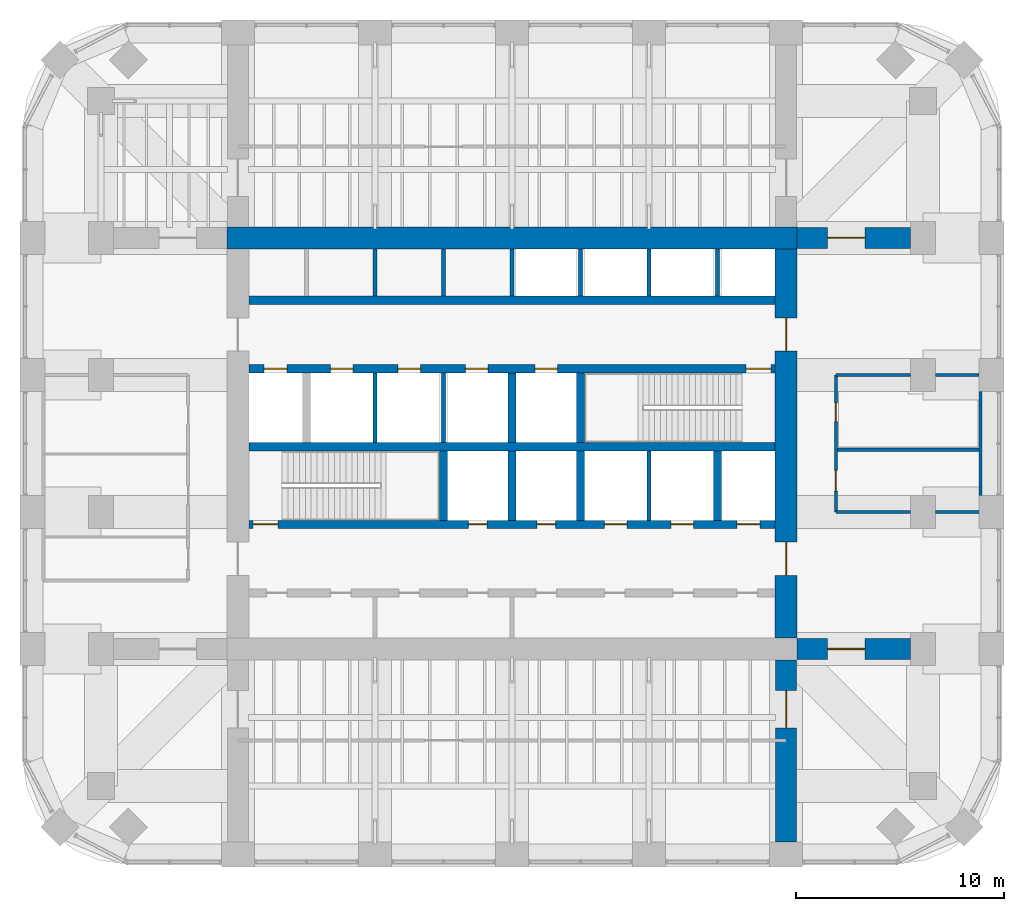
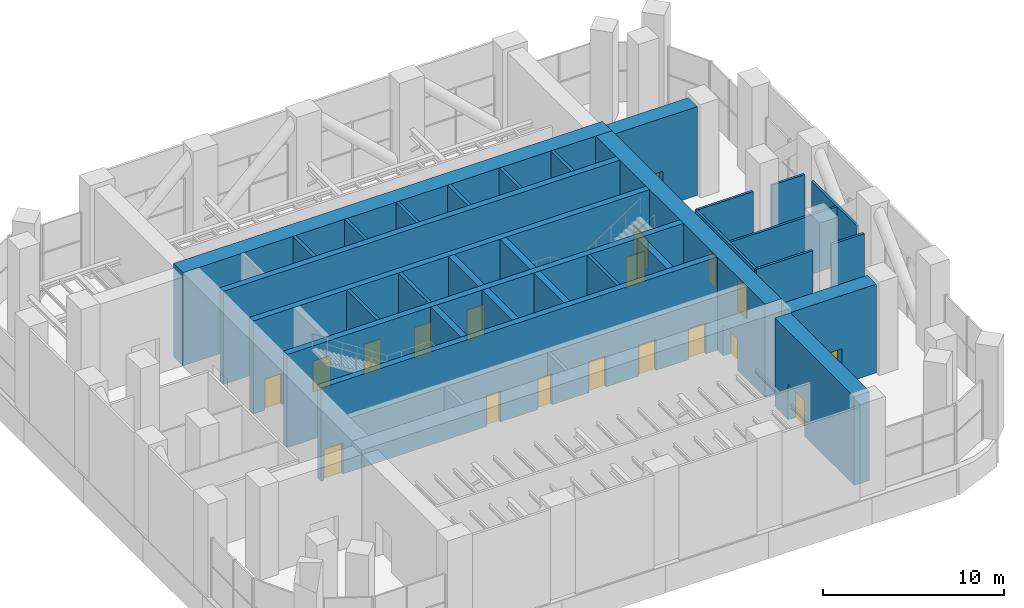
# One storey, part 12 of 15: 31 walls, 19 doors, 19 openings.
"""IFC4 building model written with IfcOpenShell, lengths in metres."""

from ifc_helpers import new_model, si_unit, direction, frame, frame_2d, origin, place, context, subcontext, project, spatial, rectangle, extrude, material, layer, layer_set, type_object, element, fill, save


model = new_model("IFC4")

# Units and contexts
model_context = context("Model", 3, precision=1e-05, world=origin(), true_north=direction((0.0, 1.0)))
body_context = subcontext(model_context, "Body", "Model", "MODEL_VIEW")
ifc_project = project(units=[si_unit("LENGTHUNIT", "METRE"), si_unit("AREAUNIT", "SQUARE_METRE"), si_unit("VOLUMEUNIT", "CUBIC_METRE"), si_unit("PLANEANGLEUNIT", "RADIAN"), si_unit("MASSUNIT", "GRAM", prefix="KILO")], contexts=[model_context])

# Site, building, storey
site_placement = place(None, origin())
site = spatial("IfcSite", under=ifc_project, at=site_placement, CompositionType="ELEMENT")
building_placement = place(site_placement, origin())
building = spatial("IfcBuilding", under=site, at=building_placement, Name="Cobogo Forest Laboratory Tower", CompositionType="ELEMENT")
storey_placement = place(building_placement, frame((0.0, 0.0, 222.89990234375)))
storey = spatial("IfcBuildingStorey", under=building, at=storey_placement, Name="L51", CompositionType="ELEMENT", Elevation=222.89990234375)

# Wall, openings, doors
ifc_material_1 = material(Name="Concrete HA-50 (C50/60)", Category="concrete")
ifc_layer_1 = layer(ifc_material_1, 0.39990234375)
ifc_layer_set_1 = layer_set([ifc_layer_1], Name="CI400 core inner wall 400")
wall_type_1 = type_object("IfcWallType", Name="CI400 core inner wall 400", PredefinedType="SHEAR", material=ifc_layer_set_1)
wall_1_placement = place(storey_placement, frame((13.72509765625, 19.199951171875, 0.0), z_axis=(0.0, 0.0, 1.0), x_axis=(1.0, 0.0, 0.0)))
wall_1 = element("IfcWall", 1, at=wall_1_placement, inside=storey, type_object=wall_type_1, Name="Core wall CI-19.2 L51", PredefinedType="SHEAR", context=body_context, shape_type="SweptSolid", body=[
    extrude(rectangle(XDim=25.349853515625, YDim=0.39990234375, at=frame_2d((12.6748046875, 0.0))), origin(), (0.0, 0.0, 1.0), 6.300048828125),
])
opening_1_placement = place(wall_1_placement, frame((10.574951171875, 0.0, 0.0)))
opening_1 = element("IfcOpeningElement", 2, at=opening_1_placement, cuts=wall_1, Name="Opening L51-D18", PredefinedType="OPENING", context=body_context, shape_type="SweptSolid", body=[
    extrude(rectangle(XDim=0.89990234375, YDim=2.10009765625, at=frame_2d((0.449951171875, 1.050048828125))), frame((0.0, 0.2099609375, 0.0), z_axis=(0.0, -1.0, 0.0), x_axis=(1.0, 0.0, 0.0)), (0.0, 0.0, 1.0), 0.419921875),
])
opening_2_placement = place(wall_1_placement, frame((13.875, 0.0, 0.0)))
opening_2 = element("IfcOpeningElement", 3, at=opening_2_placement, cuts=wall_1, Name="Opening L51-D19", PredefinedType="OPENING", context=body_context, shape_type="SweptSolid", body=[
    extrude(rectangle(XDim=0.89990234375, YDim=2.10009765625, at=frame_2d((0.449951171875, 1.050048828125))), frame((0.0, 0.2099609375, 0.0), z_axis=(0.0, -1.0, 0.0), x_axis=(1.0, 0.0, 0.0)), (0.0, 0.0, 1.0), 0.419921875),
])
opening_3_placement = place(wall_1_placement, frame((0.199951171875, 0.0, 0.0)))
opening_3 = element("IfcOpeningElement", 4, at=opening_3_placement, cuts=wall_1, Name="Opening L51-D17", PredefinedType="OPENING", context=body_context, shape_type="SweptSolid", body=[
    extrude(rectangle(XDim=1.199951171875, YDim=2.10009765625, at=frame_2d((0.60009765625, 1.050048828125))), frame((0.0, 0.2099609375, 0.0), z_axis=(0.0, -1.0, 0.0), x_axis=(1.0, 0.0, 0.0)), (0.0, 0.0, 1.0), 0.419921875),
])
opening_4_placement = place(wall_1_placement, frame((23.512451171875, 0.0, 0.0)))
opening_4 = element("IfcOpeningElement", 5, at=opening_4_placement, cuts=wall_1, Name="Opening L51-LD-FL2", PredefinedType="OPENING", context=body_context, shape_type="SweptSolid", body=[
    extrude(rectangle(XDim=1.10009765625, YDim=2.10009765625, at=frame_2d((0.550048828125, 1.050048828125))), frame((0.0, 0.2099609375, 0.0), z_axis=(0.0, -1.0, 0.0), x_axis=(1.0, 0.0, 0.0)), (0.0, 0.0, 1.0), 0.419921875),
])
opening_5_placement = place(wall_1_placement, frame((17.125, 0.0, 0.0)))
opening_5 = element("IfcOpeningElement", 6, at=opening_5_placement, cuts=wall_1, Name="Opening L51-LD-LS1", PredefinedType="OPENING", context=body_context, shape_type="SweptSolid", body=[
    extrude(rectangle(XDim=1.10009765625, YDim=2.10009765625, at=frame_2d((0.550048828125, 1.050048828125))), frame((0.0, 0.2099609375, 0.0), z_axis=(0.0, -1.0, 0.0), x_axis=(1.0, 0.0, 0.0)), (0.0, 0.0, 1.0), 0.419921875),
])
opening_6_placement = place(wall_1_placement, frame((20.324951171875, 0.0, 0.0)))
opening_6 = element("IfcOpeningElement", 7, at=opening_6_placement, cuts=wall_1, Name="Opening L51-LD-LS2", PredefinedType="OPENING", context=body_context, shape_type="SweptSolid", body=[
    extrude(rectangle(XDim=1.10009765625, YDim=2.10009765625, at=frame_2d((0.550048828125, 1.050048828125))), frame((0.0, 0.2099609375, 0.0), z_axis=(0.0, -1.0, 0.0), x_axis=(1.0, 0.0, 0.0)), (0.0, 0.0, 1.0), 0.419921875),
])
ifc_material_2 = material(Name="Steel fire door", Category="steel")
door_type_1 = type_object("IfcDoorType", Name="DS1 protected stair door 1200 EI2 60", OperationType="SINGLE_SWING_LEFT", PredefinedType="DOOR", material=ifc_material_2)
door_1_placement = place(opening_3_placement, origin())
door_1 = element("IfcDoor", 8, at=door_1_placement, inside=storey, type_object=door_type_1, Name="Door L51-ST1", OperationType="SINGLE_SWING_LEFT", OverallHeight=2.10009765625, OverallWidth=1.199951171875, PredefinedType="DOOR", context=body_context, shape_type="SweptSolid", body=[
    extrude(rectangle(XDim=1.199951171875, YDim=2.10009765625, at=frame_2d((0.60009765625, 1.050048828125))), frame((0.0, 0.02490234375, 0.0), z_axis=(0.0, -1.0, 0.0), x_axis=(1.0, 0.0, 0.0)), (0.0, 0.0, 1.0), 0.050048828125),
])
fill(opening_3, door_1)
door_type_2 = type_object("IfcDoorType", Name="FD4 riser access door 900 EI2 60", OperationType="SINGLE_SWING_LEFT", PredefinedType="DOOR", material=ifc_material_2)
door_2_placement = place(opening_1_placement, origin())
door_2 = element("IfcDoor", 9, at=door_2_placement, inside=storey, type_object=door_type_2, Name="Door L51-R1", OperationType="SINGLE_SWING_LEFT", OverallHeight=2.10009765625, OverallWidth=0.89990234375, PredefinedType="DOOR", context=body_context, shape_type="SweptSolid", body=[
    extrude(rectangle(XDim=0.89990234375, YDim=2.10009765625, at=frame_2d((0.449951171875, 1.050048828125))), frame((0.0, 0.02490234375, 0.0), z_axis=(0.0, -1.0, 0.0), x_axis=(1.0, 0.0, 0.0)), (0.0, 0.0, 1.0), 0.050048828125),
])
fill(opening_1, door_2)
door_3_placement = place(opening_2_placement, origin())
door_3 = element("IfcDoor", 10, at=door_3_placement, inside=storey, type_object=door_type_2, Name="Door L51-R2", OperationType="SINGLE_SWING_RIGHT", OverallHeight=2.10009765625, OverallWidth=0.89990234375, PredefinedType="DOOR", context=body_context, shape_type="SweptSolid", body=[
    extrude(rectangle(XDim=0.89990234375, YDim=2.10009765625, at=frame_2d((0.449951171875, 1.050048828125))), frame((0.0, 0.02490234375, 0.0), z_axis=(0.0, -1.0, 0.0), x_axis=(1.0, 0.0, 0.0)), (0.0, 0.0, 1.0), 0.050048828125),
])
fill(opening_2, door_3)
ifc_material_3 = material(Name="Stainless steel lift door", Category="steel")
door_type_3 = type_object("IfcDoorType", Name="LD lift landing door 1100", OperationType="DOUBLE_DOOR_SLIDING", PredefinedType="DOOR", material=ifc_material_3)
door_4_placement = place(opening_4_placement, origin())
door_4 = element("IfcDoor", 11, at=door_4_placement, inside=storey, type_object=door_type_3, Name="Lift landing door FL2 L51", OperationType="DOUBLE_DOOR_SLIDING", OverallHeight=2.10009765625, OverallWidth=1.10009765625, PredefinedType="DOOR", context=body_context, shape_type="SweptSolid", body=[
    extrude(rectangle(XDim=1.10009765625, YDim=2.10009765625, at=frame_2d((0.550048828125, 1.050048828125))), frame((0.0, 0.02490234375, 0.0), z_axis=(0.0, -1.0, 0.0), x_axis=(1.0, 0.0, 0.0)), (0.0, 0.0, 1.0), 0.050048828125),
])
fill(opening_4, door_4)
door_5_placement = place(opening_5_placement, origin())
door_5 = element("IfcDoor", 12, at=door_5_placement, inside=storey, type_object=door_type_3, Name="Lift landing door LS1 L51", OperationType="DOUBLE_DOOR_SLIDING", OverallHeight=2.10009765625, OverallWidth=1.10009765625, PredefinedType="DOOR", context=body_context, shape_type="SweptSolid", body=[
    extrude(rectangle(XDim=1.10009765625, YDim=2.10009765625, at=frame_2d((0.550048828125, 1.050048828125))), frame((0.0, 0.02490234375, 0.0), z_axis=(0.0, -1.0, 0.0), x_axis=(1.0, 0.0, 0.0)), (0.0, 0.0, 1.0), 0.050048828125),
])
fill(opening_5, door_5)
door_6_placement = place(opening_6_placement, origin())
door_6 = element("IfcDoor", 13, at=door_6_placement, inside=storey, type_object=door_type_3, Name="Lift landing door LS2 L51", OperationType="DOUBLE_DOOR_SLIDING", OverallHeight=2.10009765625, OverallWidth=1.10009765625, PredefinedType="DOOR", context=body_context, shape_type="SweptSolid", body=[
    extrude(rectangle(XDim=1.10009765625, YDim=2.10009765625, at=frame_2d((0.550048828125, 1.050048828125))), frame((0.0, 0.02490234375, 0.0), z_axis=(0.0, -1.0, 0.0), x_axis=(1.0, 0.0, 0.0)), (0.0, 0.0, 1.0), 0.050048828125),
])
fill(opening_6, door_6)

# Wall
wall_2_placement = place(storey_placement, frame((13.72509765625, 22.949951171875, 0.0), z_axis=(0.0, 0.0, 1.0), x_axis=(1.0, 0.0, 0.0)))
element("IfcWall", 14, at=wall_2_placement, inside=storey, type_object=wall_type_1, Name="Core wall CI-22.95 L51", PredefinedType="SHEAR", context=body_context, shape_type="SweptSolid", body=[
    extrude(rectangle(XDim=25.349853515625, YDim=0.39990234375, at=frame_2d((12.6748046875, 0.0))), origin(), (0.0, 0.0, 1.0), 6.300048828125),
])

# Wall, openings, doors
wall_3_placement = place(storey_placement, frame((13.72509765625, 26.699951171875, 0.0), z_axis=(0.0, 0.0, 1.0), x_axis=(1.0, 0.0, 0.0)))
wall_3 = element("IfcWall", 15, at=wall_3_placement, inside=storey, type_object=wall_type_1, Name="Core wall CI-26.7 L51", PredefinedType="SHEAR", context=body_context, shape_type="SweptSolid", body=[
    extrude(rectangle(XDim=25.349853515625, YDim=0.39990234375, at=frame_2d((12.6748046875, 0.0))), origin(), (0.0, 0.0, 1.0), 6.300048828125),
])
opening_7_placement = place(wall_3_placement, frame((23.949951171875, 0.0, 0.0)))
opening_7 = element("IfcOpeningElement", 16, at=opening_7_placement, cuts=wall_3, Name="Opening L51-D24", PredefinedType="OPENING", context=body_context, shape_type="SweptSolid", body=[
    extrude(rectangle(XDim=1.199951171875, YDim=2.10009765625, at=frame_2d((0.60009765625, 1.050048828125))), frame((0.0, 0.2099609375, 0.0), z_axis=(0.0, -1.0, 0.0), x_axis=(1.0, 0.0, 0.0)), (0.0, 0.0, 1.0), 0.419921875),
])
opening_8_placement = place(wall_3_placement, frame((0.737548828125, 0.0, 0.0)))
opening_8 = element("IfcOpeningElement", 17, at=opening_8_placement, cuts=wall_3, Name="Opening L51-LD-FL1", PredefinedType="OPENING", context=body_context, shape_type="SweptSolid", body=[
    extrude(rectangle(XDim=1.10009765625, YDim=2.10009765625, at=frame_2d((0.550048828125, 1.050048828125))), frame((0.0, 0.2099609375, 0.0), z_axis=(0.0, -1.0, 0.0), x_axis=(1.0, 0.0, 0.0)), (0.0, 0.0, 1.0), 0.419921875),
])
opening_9_placement = place(wall_3_placement, frame((3.925048828125, 0.0, 0.0)))
opening_9 = element("IfcOpeningElement", 18, at=opening_9_placement, cuts=wall_3, Name="Opening L51-LD-LS3", PredefinedType="OPENING", context=body_context, shape_type="SweptSolid", body=[
    extrude(rectangle(XDim=1.10009765625, YDim=2.10009765625, at=frame_2d((0.550048828125, 1.050048828125))), frame((0.0, 0.2099609375, 0.0), z_axis=(0.0, -1.0, 0.0), x_axis=(1.0, 0.0, 0.0)), (0.0, 0.0, 1.0), 0.419921875),
])
opening_10_placement = place(wall_3_placement, frame((7.175048828125, 0.0, 0.0)))
opening_10 = element("IfcOpeningElement", 19, at=opening_10_placement, cuts=wall_3, Name="Opening L51-LD-LS4", PredefinedType="OPENING", context=body_context, shape_type="SweptSolid", body=[
    extrude(rectangle(XDim=1.10009765625, YDim=2.10009765625, at=frame_2d((0.550048828125, 1.050048828125))), frame((0.0, 0.2099609375, 0.0), z_axis=(0.0, -1.0, 0.0), x_axis=(1.0, 0.0, 0.0)), (0.0, 0.0, 1.0), 0.419921875),
])
opening_11_placement = place(wall_3_placement, frame((10.425048828125, 0.0, 0.0)))
opening_11 = element("IfcOpeningElement", 20, at=opening_11_placement, cuts=wall_3, Name="Opening L51-LD-LS5", PredefinedType="OPENING", context=body_context, shape_type="SweptSolid", body=[
    extrude(rectangle(XDim=1.10009765625, YDim=2.10009765625, at=frame_2d((0.550048828125, 1.050048828125))), frame((0.0, 0.2099609375, 0.0), z_axis=(0.0, -1.0, 0.0), x_axis=(1.0, 0.0, 0.0)), (0.0, 0.0, 1.0), 0.419921875),
])
opening_12_placement = place(wall_3_placement, frame((13.77490234375, 0.0, 0.0)))
opening_12 = element("IfcOpeningElement", 21, at=opening_12_placement, cuts=wall_3, Name="Opening L51-LD-LS6", PredefinedType="OPENING", context=body_context, shape_type="SweptSolid", body=[
    extrude(rectangle(XDim=1.10009765625, YDim=2.10009765625, at=frame_2d((0.550048828125, 1.050048828125))), frame((0.0, 0.2099609375, 0.0), z_axis=(0.0, -1.0, 0.0), x_axis=(1.0, 0.0, 0.0)), (0.0, 0.0, 1.0), 0.419921875),
])
door_7_placement = place(opening_7_placement, origin())
door_7 = element("IfcDoor", 22, at=door_7_placement, inside=storey, type_object=door_type_1, Name="Door L51-ST2", OperationType="SINGLE_SWING_RIGHT", OverallHeight=2.10009765625, OverallWidth=1.199951171875, PredefinedType="DOOR", context=body_context, shape_type="SweptSolid", body=[
    extrude(rectangle(XDim=1.199951171875, YDim=2.10009765625, at=frame_2d((0.60009765625, 1.050048828125))), frame((0.0, 0.02490234375, 0.0), z_axis=(0.0, -1.0, 0.0), x_axis=(1.0, 0.0, 0.0)), (0.0, 0.0, 1.0), 0.050048828125),
])
fill(opening_7, door_7)
door_8_placement = place(opening_8_placement, origin())
door_8 = element("IfcDoor", 23, at=door_8_placement, inside=storey, type_object=door_type_3, Name="Lift landing door FL1 L51", OperationType="DOUBLE_DOOR_SLIDING", OverallHeight=2.10009765625, OverallWidth=1.10009765625, PredefinedType="DOOR", context=body_context, shape_type="SweptSolid", body=[
    extrude(rectangle(XDim=1.10009765625, YDim=2.10009765625, at=frame_2d((0.550048828125, 1.050048828125))), frame((0.0, 0.02490234375, 0.0), z_axis=(0.0, -1.0, 0.0), x_axis=(1.0, 0.0, 0.0)), (0.0, 0.0, 1.0), 0.050048828125),
])
fill(opening_8, door_8)
door_9_placement = place(opening_9_placement, origin())
door_9 = element("IfcDoor", 24, at=door_9_placement, inside=storey, type_object=door_type_3, Name="Lift landing door LS3 L51", OperationType="DOUBLE_DOOR_SLIDING", OverallHeight=2.10009765625, OverallWidth=1.10009765625, PredefinedType="DOOR", context=body_context, shape_type="SweptSolid", body=[
    extrude(rectangle(XDim=1.10009765625, YDim=2.10009765625, at=frame_2d((0.550048828125, 1.050048828125))), frame((0.0, 0.02490234375, 0.0), z_axis=(0.0, -1.0, 0.0), x_axis=(1.0, 0.0, 0.0)), (0.0, 0.0, 1.0), 0.050048828125),
])
fill(opening_9, door_9)
door_10_placement = place(opening_10_placement, origin())
door_10 = element("IfcDoor", 25, at=door_10_placement, inside=storey, type_object=door_type_3, Name="Lift landing door LS4 L51", OperationType="DOUBLE_DOOR_SLIDING", OverallHeight=2.10009765625, OverallWidth=1.10009765625, PredefinedType="DOOR", context=body_context, shape_type="SweptSolid", body=[
    extrude(rectangle(XDim=1.10009765625, YDim=2.10009765625, at=frame_2d((0.550048828125, 1.050048828125))), frame((0.0, 0.02490234375, 0.0), z_axis=(0.0, -1.0, 0.0), x_axis=(1.0, 0.0, 0.0)), (0.0, 0.0, 1.0), 0.050048828125),
])
fill(opening_10, door_10)
door_11_placement = place(opening_11_placement, origin())
door_11 = element("IfcDoor", 26, at=door_11_placement, inside=storey, type_object=door_type_3, Name="Lift landing door LS5 L51", OperationType="DOUBLE_DOOR_SLIDING", OverallHeight=2.10009765625, OverallWidth=1.10009765625, PredefinedType="DOOR", context=body_context, shape_type="SweptSolid", body=[
    extrude(rectangle(XDim=1.10009765625, YDim=2.10009765625, at=frame_2d((0.550048828125, 1.050048828125))), frame((0.0, 0.02490234375, 0.0), z_axis=(0.0, -1.0, 0.0), x_axis=(1.0, 0.0, 0.0)), (0.0, 0.0, 1.0), 0.050048828125),
])
fill(opening_11, door_11)
door_12_placement = place(opening_12_placement, origin())
door_12 = element("IfcDoor", 27, at=door_12_placement, inside=storey, type_object=door_type_3, Name="Lift landing door LS6 L51", OperationType="DOUBLE_DOOR_SLIDING", OverallHeight=2.10009765625, OverallWidth=1.10009765625, PredefinedType="DOOR", context=body_context, shape_type="SweptSolid", body=[
    extrude(rectangle(XDim=1.10009765625, YDim=2.10009765625, at=frame_2d((0.550048828125, 1.050048828125))), frame((0.0, 0.02490234375, 0.0), z_axis=(0.0, -1.0, 0.0), x_axis=(1.0, 0.0, 0.0)), (0.0, 0.0, 1.0), 0.050048828125),
])
fill(opening_12, door_12)

# Walls
wall_4_placement = place(storey_placement, frame((13.72509765625, 30.0, 0.0), z_axis=(0.0, 0.0, 1.0), x_axis=(1.0, 0.0, 0.0)))
element("IfcWall", 28, at=wall_4_placement, inside=storey, type_object=wall_type_1, Name="Core wall CI-30.0 L51", PredefinedType="SHEAR", context=body_context, shape_type="SweptSolid", body=[
    extrude(rectangle(XDim=25.349853515625, YDim=0.39990234375, at=frame_2d((12.6748046875, 0.0))), origin(), (0.0, 0.0, 1.0), 6.300048828125),
])
for number, where, z_axis, x_axis, name in (
    (29, (23.10009765625, 19.39990234375, 0.0), (0.0, 0.0, 1.0), (0.0, 1.0, 0.0), "Core wall CX-23.1 L51"),
    (30, (26.39990234375, 19.39990234375, 0.0), (0.0, 0.0, 1.0), (0.0, 1.0, 0.0), "Core wall CX-26.4S L51"),
    (31, (29.699951171875, 19.39990234375, 0.0), (0.0, 0.0, 1.0), (0.0, 1.0, 0.0), "Core wall CX-29.7S L51"),
    (32, (36.300048828125, 19.39990234375, 0.0), (0.0, 0.0, 1.0), (0.0, 1.0, 0.0), "Core wall CX-36.3 L51"),
    (33, (26.39990234375, 23.14990234375, 0.0), (0.0, 0.0, 1.0), (0.0, 1.0, 0.0), "Core wall CX-26.4N L51"),
    (34, (29.699951171875, 23.14990234375, 0.0), (0.0, 0.0, 1.0), (0.0, 1.0, 0.0), "Core wall CX-29.7N L51"),
):
    element("IfcWall", number, at=place(storey_placement, frame(where, z_axis=z_axis, x_axis=x_axis)), inside=storey, type_object=wall_type_1, Name=name, PredefinedType="SHEAR", context=body_context, shape_type="SweptSolid", body=[
        extrude(rectangle(XDim=3.35009765625, YDim=0.39990234375, at=frame_2d((1.675048828125, 0.0))), origin(), (0.0, 0.0, 1.0), 6.300048828125),
    ])

# Wall, openings, doors
ifc_layer_2 = layer(ifc_material_1, 1.050048828125)
ifc_layer_set_2 = layer_set([ifc_layer_2], Name="CW1050 core outer wall 1050")
wall_type_2 = type_object("IfcWallType", Name="CW1050 core outer wall 1050", PredefinedType="SHEAR", material=ifc_layer_set_2)
wall_5_placement = place(storey_placement, frame((39.60009765625, 13.72509765625, 0.0), z_axis=(0.0, 0.0, 1.0), x_axis=(0.0, 1.0, 0.0)))
wall_5 = element("IfcWall", 35, at=wall_5_placement, inside=storey, type_object=wall_type_2, Name="Core wall CO-E L51", PredefinedType="SHEAR", context=body_context, shape_type="SweptSolid", body=[
    extrude(rectangle(XDim=18.75, YDim=1.050048828125, at=frame_2d((9.375, 0.0))), origin(), (0.0, 0.0, 1.0), 6.300048828125),
])
opening_13_placement = place(wall_5_placement, frame((3.02490234375, 0.0, 0.0)))
opening_13 = element("IfcOpeningElement", 36, at=opening_13_placement, cuts=wall_5, Name="Opening L51-D16", PredefinedType="OPENING", context=body_context, shape_type="SweptSolid", body=[
    extrude(rectangle(XDim=1.60009765625, YDim=2.10009765625, at=frame_2d((0.800048828125, 1.050048828125))), frame((0.0, 0.534912109375, 0.0), z_axis=(0.0, -1.0, 0.0), x_axis=(1.0, 0.0, 0.0)), (0.0, 0.0, 1.0), 1.070068359375),
])
opening_14_placement = place(wall_5_placement, frame((13.824951171875, 0.0, 0.0)))
opening_14 = element("IfcOpeningElement", 37, at=opening_14_placement, cuts=wall_5, Name="Opening L51-D26", PredefinedType="OPENING", context=body_context, shape_type="SweptSolid", body=[
    extrude(rectangle(XDim=1.60009765625, YDim=2.10009765625, at=frame_2d((0.800048828125, 1.050048828125))), frame((0.0, 0.534912109375, 0.0), z_axis=(0.0, -1.0, 0.0), x_axis=(1.0, 0.0, 0.0)), (0.0, 0.0, 1.0), 1.070068359375),
])
door_type_4 = type_object("IfcDoorType", Name="DS2 protected lobby door pair 1600 EI2 60", OperationType="DOUBLE_DOOR_DOUBLE_SWING", PredefinedType="DOOR", material=ifc_material_2)
door_13_placement = place(opening_13_placement, origin())
door_13 = element("IfcDoor", 38, at=door_13_placement, inside=storey, type_object=door_type_4, Name="Door L51-CO-E-S", OperationType="DOUBLE_DOOR_DOUBLE_SWING", OverallHeight=2.10009765625, OverallWidth=1.60009765625, PredefinedType="DOOR", context=body_context, shape_type="SweptSolid", body=[
    extrude(rectangle(XDim=1.60009765625, YDim=2.10009765625, at=frame_2d((0.800048828125, 1.050048828125))), frame((0.0, 0.02490234375, 0.0), z_axis=(0.0, -1.0, 0.0), x_axis=(1.0, 0.0, 0.0)), (0.0, 0.0, 1.0), 0.050048828125),
])
fill(opening_13, door_13)
door_14_placement = place(opening_14_placement, origin())
door_14 = element("IfcDoor", 39, at=door_14_placement, inside=storey, type_object=door_type_4, Name="Door L51-CO-E-N", OperationType="DOUBLE_DOOR_DOUBLE_SWING", OverallHeight=2.10009765625, OverallWidth=1.60009765625, PredefinedType="DOOR", context=body_context, shape_type="SweptSolid", body=[
    extrude(rectangle(XDim=1.60009765625, YDim=2.10009765625, at=frame_2d((0.800048828125, 1.050048828125))), frame((0.0, 0.02490234375, 0.0), z_axis=(0.0, -1.0, 0.0), x_axis=(1.0, 0.0, 0.0)), (0.0, 0.0, 1.0), 0.050048828125),
])
fill(opening_14, door_14)

# Wall
wall_6_placement = place(storey_placement, frame((40.125, 33.0, 0.0), z_axis=(0.0, 0.0, 1.0), x_axis=(-1.0, 0.0, 0.0)))
element("IfcWall", 40, at=wall_6_placement, inside=storey, type_object=wall_type_2, Name="Core wall CO-N L51", PredefinedType="SHEAR", context=body_context, shape_type="SweptSolid", body=[
    extrude(rectangle(XDim=27.449951171875, YDim=1.050048828125, at=frame_2d((13.72509765625, 0.0))), origin(), (0.0, 0.0, 1.0), 6.300048828125),
])

# Wall, opening, door
ifc_layer_3 = layer(ifc_material_1, 1.0)
ifc_layer_set_3 = layer_set([ifc_layer_3], Name="Outrigger wall 1000")
wall_type_3 = type_object("IfcWallType", Name="Outrigger wall 1000", PredefinedType="SHEAR", material=ifc_layer_set_3)
wall_7_placement = place(storey_placement, frame((39.60009765625, 12.675048828125, 0.0), z_axis=(0.0, 0.0, 1.0), x_axis=(0.0, -1.0, 0.0)))
wall_7 = element("IfcWall", 41, at=wall_7_placement, inside=storey, type_object=wall_type_3, Name="Outrigger wall OR-S7 L51", PredefinedType="SHEAR", context=body_context, shape_type="SweptSolid", body=[
    extrude(rectangle(XDim=8.775146484375, YDim=1.0, at=frame_2d((4.3876953125, 0.0))), origin(), (0.0, 0.0, 1.0), 6.0),
])
opening_15_placement = place(wall_7_placement, frame((1.47509765625, 0.0, 0.0)))
opening_15 = element("IfcOpeningElement", 42, at=opening_15_placement, cuts=wall_7, Name="Opening L51-D03", PredefinedType="OPENING", context=body_context, shape_type="SweptSolid", body=[
    extrude(rectangle(XDim=1.800048828125, YDim=2.39990234375, at=frame_2d((0.89990234375, 1.199951171875))), frame((0.0, 0.510009765625, 0.0), z_axis=(0.0, -1.0, 0.0), x_axis=(1.0, 0.0, 0.0)), (0.0, 0.0, 1.0), 1.02001953125),
])
door_type_5 = type_object("IfcDoorType", Name="PD1 plant door pair 1800 EI2 60", OperationType="DOUBLE_DOOR_SINGLE_SWING", PredefinedType="DOOR", material=ifc_material_2)
door_15_placement = place(opening_15_placement, origin())
door_15 = element("IfcDoor", 43, at=door_15_placement, inside=storey, type_object=door_type_5, Name="Door L51-OR-S7", OperationType="DOUBLE_DOOR_SINGLE_SWING", OverallHeight=2.39990234375, OverallWidth=1.800048828125, PredefinedType="DOOR", context=body_context, shape_type="SweptSolid", body=[
    extrude(rectangle(XDim=1.800048828125, YDim=2.39990234375, at=frame_2d((0.89990234375, 1.199951171875))), frame((0.0, 0.02490234375, 0.0), z_axis=(0.0, -1.0, 0.0), x_axis=(1.0, 0.0, 0.0)), (0.0, 0.0, 1.0), 0.050048828125),
])
fill(opening_15, door_15)

wall_8_placement = place(storey_placement, frame((40.125, 13.199951171875, 0.0), z_axis=(0.0, 0.0, 1.0), x_axis=(1.0, 0.0, 0.0)))
wall_8 = element("IfcWall", 44, at=wall_8_placement, inside=storey, type_object=wall_type_3, Name="Outrigger wall OR-EC L51", PredefinedType="SHEAR", context=body_context, shape_type="SweptSolid", body=[
    extrude(rectangle(XDim=5.47509765625, YDim=1.0, at=frame_2d((2.737548828125, 0.0))), origin(), (0.0, 0.0, 1.0), 6.0),
])
opening_16_placement = place(wall_8_placement, frame((1.47509765625, 0.0, 0.0)))
opening_16 = element("IfcOpeningElement", 45, at=opening_16_placement, cuts=wall_8, Name="Opening L51-D05", PredefinedType="OPENING", context=body_context, shape_type="SweptSolid", body=[
    extrude(rectangle(XDim=1.800048828125, YDim=2.39990234375, at=frame_2d((0.89990234375, 1.199951171875))), frame((0.0, 0.510009765625, 0.0), z_axis=(0.0, -1.0, 0.0), x_axis=(1.0, 0.0, 0.0)), (0.0, 0.0, 1.0), 1.02001953125),
])
door_16_placement = place(opening_16_placement, origin())
door_16 = element("IfcDoor", 46, at=door_16_placement, inside=storey, type_object=door_type_5, Name="Door L51-OR-EC", OperationType="DOUBLE_DOOR_SINGLE_SWING", OverallHeight=2.39990234375, OverallWidth=1.800048828125, PredefinedType="DOOR", context=body_context, shape_type="SweptSolid", body=[
    extrude(rectangle(XDim=1.800048828125, YDim=2.39990234375, at=frame_2d((0.89990234375, 1.199951171875))), frame((0.0, 0.02490234375, 0.0), z_axis=(0.0, -1.0, 0.0), x_axis=(1.0, 0.0, 0.0)), (0.0, 0.0, 1.0), 0.050048828125),
])
fill(opening_16, door_16)

wall_9_placement = place(storey_placement, frame((40.125, 33.0, 0.0), z_axis=(0.0, 0.0, 1.0), x_axis=(1.0, 0.0, 0.0)))
wall_9 = element("IfcWall", 47, at=wall_9_placement, inside=storey, type_object=wall_type_3, Name="Outrigger wall OR-EF L51", PredefinedType="SHEAR", context=body_context, shape_type="SweptSolid", body=[
    extrude(rectangle(XDim=5.47509765625, YDim=1.0, at=frame_2d((2.737548828125, 0.0))), origin(), (0.0, 0.0, 1.0), 6.0),
])
opening_17_placement = place(wall_9_placement, frame((1.47509765625, 0.0, 0.0)))
opening_17 = element("IfcOpeningElement", 48, at=opening_17_placement, cuts=wall_9, Name="Opening L51-D28", PredefinedType="OPENING", context=body_context, shape_type="SweptSolid", body=[
    extrude(rectangle(XDim=1.800048828125, YDim=2.39990234375, at=frame_2d((0.89990234375, 1.199951171875))), frame((0.0, 0.510009765625, 0.0), z_axis=(0.0, -1.0, 0.0), x_axis=(1.0, 0.0, 0.0)), (0.0, 0.0, 1.0), 1.02001953125),
])
door_17_placement = place(opening_17_placement, origin())
door_17 = element("IfcDoor", 49, at=door_17_placement, inside=storey, type_object=door_type_5, Name="Door L51-OR-EF", OperationType="DOUBLE_DOOR_SINGLE_SWING", OverallHeight=2.39990234375, OverallWidth=1.800048828125, PredefinedType="DOOR", context=body_context, shape_type="SweptSolid", body=[
    extrude(rectangle(XDim=1.800048828125, YDim=2.39990234375, at=frame_2d((0.89990234375, 1.199951171875))), frame((0.0, 0.02490234375, 0.0), z_axis=(0.0, -1.0, 0.0), x_axis=(1.0, 0.0, 0.0)), (0.0, 0.0, 1.0), 0.050048828125),
])
fill(opening_17, door_17)

# Walls
ifc_material_4 = material(Name="Gypsum board on steel studs", Category="steel")
ifc_layer_4 = layer(ifc_material_4, 0.14990234375)
ifc_layer_set_4 = layer_set([ifc_layer_4], Name="PT1 laboratory partition 150")
wall_type_4 = type_object("IfcWallType", Name="PT1 laboratory partition 150", PredefinedType="PARTITIONING", material=ifc_layer_set_4)
wall_10_placement = place(storey_placement, frame((48.89990234375, 19.800048828125, 0.0), z_axis=(0.0, 0.0, 1.0), x_axis=(-1.0, 0.0, 0.0)))
element("IfcWall", 50, at=wall_10_placement, inside=storey, type_object=wall_type_4, Name="Partition POD-ELEC-S-1 L51", PredefinedType="PARTITIONING", context=body_context, shape_type="SweptSolid", body=[
    extrude(rectangle(XDim=2.099853515625, YDim=0.14990234375, at=frame_2d((1.0498046875, 0.0))), origin(), (0.0, 0.0, 1.0), 4.0),
])
for number, where, z_axis, x_axis, name in (
    (51, (45.60009765625, 19.800048828125, 0.0), (0.0, 0.0, 1.0), (-1.0, 0.0, 0.0), "Partition POD-ELEC-S-2 L51"),
    (52, (42.0, 26.39990234375, 0.0), (0.0, 0.0, 1.0), (1.0, 0.0, 0.0), "Partition POD-ELEC-N-1 L51"),
):
    element("IfcWall", number, at=place(storey_placement, frame(where, z_axis=z_axis, x_axis=x_axis)), inside=storey, type_object=wall_type_4, Name=name, PredefinedType="PARTITIONING", context=body_context, shape_type="SweptSolid", body=[
        extrude(rectangle(XDim=3.60009765625, YDim=0.14990234375, at=frame_2d((1.800048828125, 0.0))), origin(), (0.0, 0.0, 1.0), 4.0),
    ])
wall_11_placement = place(storey_placement, frame((46.800048828125, 26.39990234375, 0.0), z_axis=(0.0, 0.0, 1.0), x_axis=(1.0, 0.0, 0.0)))
element("IfcWall", 53, at=wall_11_placement, inside=storey, type_object=wall_type_4, Name="Partition POD-ELEC-N-2 L51", PredefinedType="PARTITIONING", context=body_context, shape_type="SweptSolid", body=[
    extrude(rectangle(XDim=2.099853515625, YDim=0.14990234375, at=frame_2d((1.0498046875, 0.0))), origin(), (0.0, 0.0, 1.0), 4.0),
])

# Wall, openings, doors
wall_12_placement = place(storey_placement, frame((42.0, 19.800048828125, 0.0), z_axis=(0.0, 0.0, 1.0), x_axis=(0.0, 1.0, 0.0)))
wall_12 = element("IfcWall", 54, at=wall_12_placement, inside=storey, type_object=wall_type_4, Name="Partition POD-ELEC-W-1 L51", PredefinedType="PARTITIONING", context=body_context, shape_type="SweptSolid", body=[
    extrude(rectangle(XDim=6.599853515625, YDim=0.14990234375, at=frame_2d((3.2998046875, 0.0))), origin(), (0.0, 0.0, 1.0), 4.0),
])
opening_18_placement = place(wall_12_placement, frame((1.0, 0.0, 0.0)))
opening_18 = element("IfcOpeningElement", 55, at=opening_18_placement, cuts=wall_12, Name="Opening L51-D21", PredefinedType="OPENING", context=body_context, shape_type="SweptSolid", body=[
    extrude(rectangle(XDim=1.0, YDim=2.10009765625, at=frame_2d((0.5, 1.050048828125))), frame((0.0, 0.0849609375, 0.0), z_axis=(0.0, -1.0, 0.0), x_axis=(1.0, 0.0, 0.0)), (0.0, 0.0, 1.0), 0.169921875),
])
opening_19_placement = place(wall_12_placement, frame((4.35009765625, 0.0, 0.0)))
opening_19 = element("IfcOpeningElement", 56, at=opening_19_placement, cuts=wall_12, Name="Opening L51-D23", PredefinedType="OPENING", context=body_context, shape_type="SweptSolid", body=[
    extrude(rectangle(XDim=0.89990234375, YDim=2.10009765625, at=frame_2d((0.449951171875, 1.050048828125))), frame((0.0, 0.0849609375, 0.0), z_axis=(0.0, -1.0, 0.0), x_axis=(1.0, 0.0, 0.0)), (0.0, 0.0, 1.0), 0.169921875),
])
door_type_6 = type_object("IfcDoorType", Name="FD1 fire door 1000 EI2 60", OperationType="SINGLE_SWING_LEFT", PredefinedType="DOOR", material=ifc_material_2)
door_18_placement = place(opening_18_placement, origin())
door_18 = element("IfcDoor", 57, at=door_18_placement, inside=storey, type_object=door_type_6, Name="Door L51-ELEC", OperationType="SINGLE_SWING_LEFT", OverallHeight=2.10009765625, OverallWidth=1.0, PredefinedType="DOOR", context=body_context, shape_type="SweptSolid", body=[
    extrude(rectangle(XDim=1.0, YDim=2.10009765625, at=frame_2d((0.5, 1.050048828125))), frame((0.0, 0.02490234375, 0.0), z_axis=(0.0, -1.0, 0.0), x_axis=(1.0, 0.0, 0.0)), (0.0, 0.0, 1.0), 0.050048828125),
])
fill(opening_18, door_18)
door_19_placement = place(opening_19_placement, origin())
door_19 = element("IfcDoor", 58, at=door_19_placement, inside=storey, type_object=door_type_2, Name="Door L51-COMMS", OperationType="SINGLE_SWING_RIGHT", OverallHeight=2.10009765625, OverallWidth=0.89990234375, PredefinedType="DOOR", context=body_context, shape_type="SweptSolid", body=[
    extrude(rectangle(XDim=0.89990234375, YDim=2.10009765625, at=frame_2d((0.449951171875, 1.050048828125))), frame((0.0, 0.02490234375, 0.0), z_axis=(0.0, -1.0, 0.0), x_axis=(1.0, 0.0, 0.0)), (0.0, 0.0, 1.0), 0.050048828125),
])
fill(opening_19, door_19)

# Walls
wall_13_placement = place(storey_placement, frame((48.965087890625, 25.60009765625, 0.0), z_axis=(0.0, 0.0, 1.0), x_axis=(0.0, -1.0, 0.0)))
element("IfcWall", 59, at=wall_13_placement, inside=storey, type_object=wall_type_4, Name="Partition POD-ELEC-E-1 L51", PredefinedType="PARTITIONING", context=body_context, shape_type="SweptSolid", body=[
    extrude(rectangle(XDim=5.0, YDim=0.14990234375, at=frame_2d((2.5, 0.0))), origin(), (0.0, 0.0, 1.0), 4.0),
])
wall_14_placement = place(storey_placement, frame((42.0, 22.800048828125, 0.0), z_axis=(0.0, 0.0, 1.0), x_axis=(1.0, 0.0, 0.0)))
element("IfcWall", 60, at=wall_14_placement, inside=storey, type_object=wall_type_4, Name="Partition POD-ELEC-1-1 L51", PredefinedType="PARTITIONING", context=body_context, shape_type="SweptSolid", body=[
    extrude(rectangle(XDim=6.965087890625, YDim=0.14990234375, at=frame_2d((3.482421875, 0.0))), origin(), (0.0, 0.0, 1.0), 4.0),
])
ifc_material_5 = material(Name="Concrete block", Category="concrete")
ifc_layer_5 = layer(ifc_material_5, 0.199951171875)
ifc_layer_set_5 = layer_set([ifc_layer_5], Name="SW200 lift shaft separator 200")
wall_type_5 = type_object("IfcWallType", Name="SW200 lift shaft separator 200", PredefinedType="PARTITIONING", material=ifc_layer_set_5)
for number, where, z_axis, x_axis, name in (
    (61, (19.800048828125, 30.199951171875, 0.0), (0.0, 0.0, 1.0), (0.0, 1.0, 0.0), "Core wall SEP-N2 L51"),
    (62, (23.10009765625, 30.199951171875, 0.0), (0.0, 0.0, 1.0), (0.0, 1.0, 0.0), "Core wall SEP-N3 L51"),
    (63, (26.39990234375, 30.199951171875, 0.0), (0.0, 0.0, 1.0), (0.0, 1.0, 0.0), "Core wall SEP-N4 L51"),
    (64, (29.699951171875, 30.199951171875, 0.0), (0.0, 0.0, 1.0), (0.0, 1.0, 0.0), "Core wall SEP-N5 L51"),
    (65, (33.0, 30.199951171875, 0.0), (0.0, 0.0, 1.0), (0.0, 1.0, 0.0), "Core wall SEP-N6 L51"),
    (66, (36.300048828125, 30.199951171875, 0.0), (0.0, 0.0, 1.0), (0.0, 1.0, 0.0), "Core wall SEP-N7 L51"),
):
    element("IfcWall", number, at=place(storey_placement, frame(where, z_axis=z_axis, x_axis=x_axis)), inside=storey, type_object=wall_type_5, Name=name, PredefinedType="PARTITIONING", context=body_context, shape_type="SweptSolid", body=[
        extrude(rectangle(XDim=2.275146484375, YDim=0.199951171875, at=frame_2d((1.1376953125, 0.0))), origin(), (0.0, 0.0, 1.0), 6.300048828125),
    ])
for number, where, z_axis, x_axis, name in (
    (67, (33.0, 19.39990234375, 0.0), (0.0, 0.0, 1.0), (0.0, 1.0, 0.0), "Core wall SEP-M33.0 L51"),
    (68, (19.800048828125, 23.14990234375, 0.0), (0.0, 0.0, 1.0), (0.0, 1.0, 0.0), "Core wall SEP-M19.8 L51"),
    (69, (23.10009765625, 23.14990234375, 0.0), (0.0, 0.0, 1.0), (0.0, 1.0, 0.0), "Core wall SEP-M23.1 L51"),
):
    element("IfcWall", number, at=place(storey_placement, frame(where, z_axis=z_axis, x_axis=x_axis)), inside=storey, type_object=wall_type_5, Name=name, PredefinedType="PARTITIONING", context=body_context, shape_type="SweptSolid", body=[
        extrude(rectangle(XDim=3.35009765625, YDim=0.199951171875, at=frame_2d((1.675048828125, 0.0))), origin(), (0.0, 0.0, 1.0), 6.300048828125),
    ])

save(model, "model.ifc")
